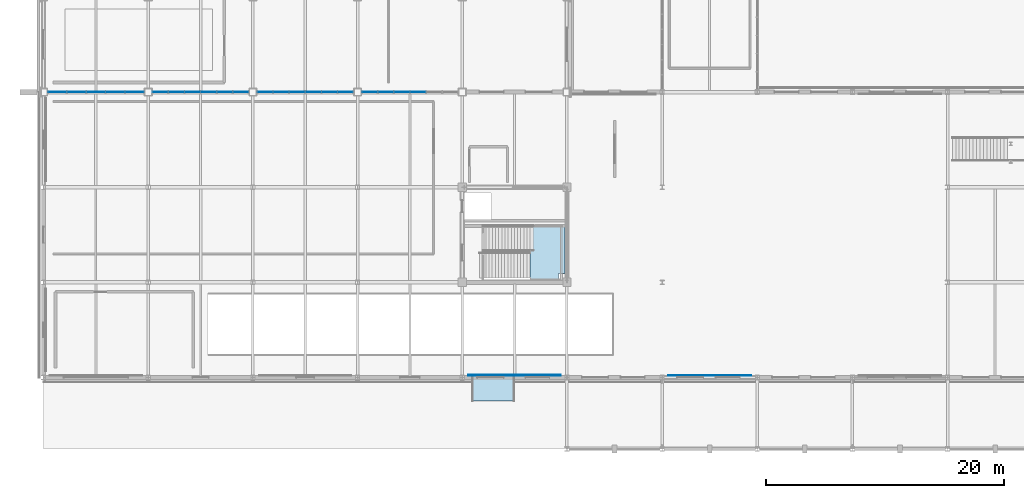
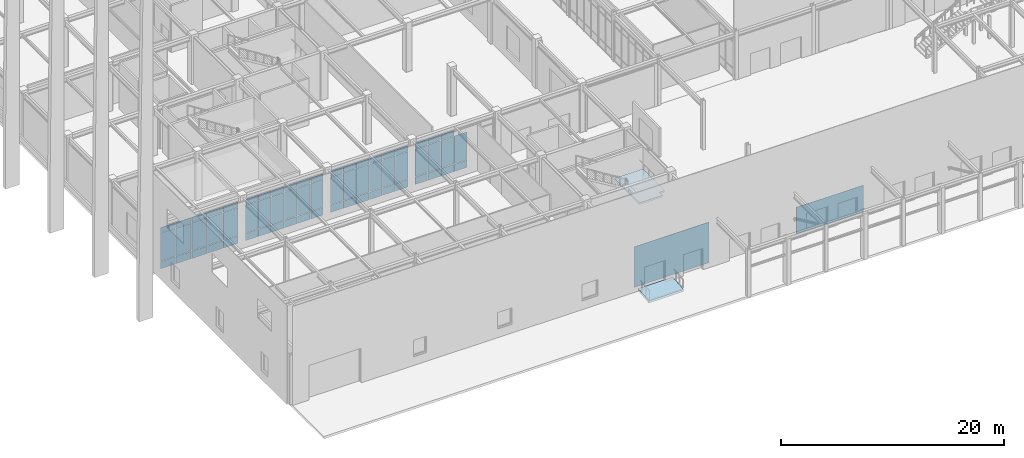
# One storey, part 53 of 119: 64 plates, 2 slabs, 5 elements without a shape of their own.
"""IFC4 building model written with IfcOpenShell, lengths in metres."""

from ifc_helpers import new_model, si_unit, direction, frame, origin, origin_2d, place, context, subcontext, project, spatial, polyline, rectangle, outline, extrude, material, layer, layer_set, type_object, element, aggregate, save


model = new_model("IFC4")

# Units and contexts
model_context = context("Model", 3, precision=1e-05, world=origin(), true_north=direction((0.0, 1.0)))
body_context = subcontext(model_context, "Body", "Model", "MODEL_VIEW")
ifc_project = project(units=[si_unit("LENGTHUNIT", "METRE"), si_unit("AREAUNIT", "SQUARE_METRE"), si_unit("VOLUMEUNIT", "CUBIC_METRE"), si_unit("PLANEANGLEUNIT", "RADIAN"), si_unit("MASSUNIT", "GRAM", prefix="KILO")], contexts=[model_context])

# Site, building, storey
site_placement = place(None, origin())
site = spatial("IfcSite", under=ifc_project, at=site_placement, CompositionType="ELEMENT")
building_placement = place(site_placement, origin())
building = spatial("IfcBuilding", under=site, at=building_placement, Name="Zhaolan Boulevard Law Courts", CompositionType="ELEMENT")
storey_placement = place(building_placement, origin())
storey = spatial("IfcBuildingStorey", under=building, at=storey_placement, Name="L00", CompositionType="ELEMENT", Elevation=0.0)

# Curtain wall, plates
ifc_material_1 = material(Name="Thermally broken aluminium and low-E glazing", Category="aluminium")
curtain_wall_type_1 = type_object("IfcCurtainWallType", Name="CURTAIN WALL M1", PredefinedType="USERDEFINED", material=ifc_material_1)
curtain_wall_1_placement = place(storey_placement, origin())
curtain_wall_1 = element("IfcCurtainWall", 1, at=curtain_wall_1_placement, inside=storey, type_object=curtain_wall_type_1, Name="Curtain Wall CW-L00-001", ObjectType="CURTAIN WALL", PredefinedType="USERDEFINED")
ifc_material_2 = material(Name="Acoustic laminated low-E glazing", Category="glass")
ifc_layer_1 = layer(ifc_material_2, 0.031982421875)
ifc_layer_set_1 = layer_set([ifc_layer_1])
plate_type_1 = type_object("IfcPlateType", Name="CWPANEL LOW E32", PredefinedType="CURTAIN_PANEL", material=ifc_layer_set_1)
plate_1_placement = place(storey_placement, frame((7.64208984375, 30.0, 0.06494140625), z_axis=(0.0, 0.0, 1.0), x_axis=(-1.0, 0.0, 0.0)))
plate_1 = element("IfcPlate", 2, at=plate_1_placement, type_object=plate_type_1, Name="CW-L00-001 panel 1.1", PredefinedType="CURTAIN_PANEL", context=body_context, shape_type="SweptSolid", body=[
    extrude(rectangle(XDim=1.53173828125, YDim=0.031982421875, at=origin_2d()), origin(), (0.0, 0.0, 1.0), 0.802490234375),
])
plate_2_placement = place(storey_placement, frame((7.64208984375, 30.0, 0.932373046875), z_axis=(0.0, 0.0, 1.0), x_axis=(-1.0, 0.0, 0.0)))
plate_2 = element("IfcPlate", 3, at=plate_2_placement, type_object=plate_type_1, Name="CW-L00-001 panel 1.2", PredefinedType="CURTAIN_PANEL", context=body_context, shape_type="SweptSolid", body=[
    extrude(rectangle(XDim=1.53173828125, YDim=0.031982421875, at=origin_2d()), origin(), (0.0, 0.0, 1.0), 3.02001953125),
])
plate_3_placement = place(storey_placement, frame((7.64208984375, 30.0, 4.017578125), z_axis=(0.0, 0.0, 1.0), x_axis=(-1.0, 0.0, 0.0)))
plate_3 = element("IfcPlate", 4, at=plate_3_placement, type_object=plate_type_1, Name="CW-L00-001 panel 1.3", PredefinedType="CURTAIN_PANEL", context=body_context, shape_type="SweptSolid", body=[
    extrude(rectangle(XDim=1.53173828125, YDim=0.031982421875, at=origin_2d()), origin(), (0.0, 0.0, 1.0), 0.552490234375),
])
plate_4_placement = place(storey_placement, frame((6.029296875, 30.0, 0.06494140625), z_axis=(0.0, 0.0, 1.0), x_axis=(-1.0, 0.0, 0.0)))
plate_4 = element("IfcPlate", 5, at=plate_4_placement, type_object=plate_type_1, Name="CW-L00-001 panel 2.1", PredefinedType="CURTAIN_PANEL", context=body_context, shape_type="SweptSolid", body=[
    extrude(rectangle(XDim=1.564208984375, YDim=0.031982421875, at=origin_2d()), origin(), (0.0, 0.0, 1.0), 0.802490234375),
])
plate_5_placement = place(storey_placement, frame((6.029296875, 30.0, 0.932373046875), z_axis=(0.0, 0.0, 1.0), x_axis=(-1.0, 0.0, 0.0)))
plate_5 = element("IfcPlate", 6, at=plate_5_placement, type_object=plate_type_1, Name="CW-L00-001 panel 2.2", PredefinedType="CURTAIN_PANEL", context=body_context, shape_type="SweptSolid", body=[
    extrude(rectangle(XDim=1.564208984375, YDim=0.031982421875, at=origin_2d()), origin(), (0.0, 0.0, 1.0), 3.02001953125),
])
plate_6_placement = place(storey_placement, frame((6.029296875, 30.0, 4.017578125), z_axis=(0.0, 0.0, 1.0), x_axis=(-1.0, 0.0, 0.0)))
plate_6 = element("IfcPlate", 7, at=plate_6_placement, type_object=plate_type_1, Name="CW-L00-001 panel 2.3", PredefinedType="CURTAIN_PANEL", context=body_context, shape_type="SweptSolid", body=[
    extrude(rectangle(XDim=1.564208984375, YDim=0.031982421875, at=origin_2d()), origin(), (0.0, 0.0, 1.0), 0.552490234375),
])
plate_7_placement = place(storey_placement, frame((4.39990234375, 30.0, 0.06494140625), z_axis=(0.0, 0.0, 1.0), x_axis=(-1.0, 0.0, 0.0)))
plate_7 = element("IfcPlate", 8, at=plate_7_placement, type_object=plate_type_1, Name="CW-L00-001 panel 3.1", PredefinedType="CURTAIN_PANEL", context=body_context, shape_type="SweptSolid", body=[
    extrude(rectangle(XDim=1.564208984375, YDim=0.031982421875, at=origin_2d()), origin(), (0.0, 0.0, 1.0), 0.802490234375),
])
plate_8_placement = place(storey_placement, frame((4.39990234375, 30.0, 0.932373046875), z_axis=(0.0, 0.0, 1.0), x_axis=(-1.0, 0.0, 0.0)))
plate_8 = element("IfcPlate", 9, at=plate_8_placement, type_object=plate_type_1, Name="CW-L00-001 panel 3.2", PredefinedType="CURTAIN_PANEL", context=body_context, shape_type="SweptSolid", body=[
    extrude(rectangle(XDim=1.564208984375, YDim=0.031982421875, at=origin_2d()), origin(), (0.0, 0.0, 1.0), 3.02001953125),
])
plate_9_placement = place(storey_placement, frame((4.39990234375, 30.0, 4.017578125), z_axis=(0.0, 0.0, 1.0), x_axis=(-1.0, 0.0, 0.0)))
plate_9 = element("IfcPlate", 10, at=plate_9_placement, type_object=plate_type_1, Name="CW-L00-001 panel 3.3", PredefinedType="CURTAIN_PANEL", context=body_context, shape_type="SweptSolid", body=[
    extrude(rectangle(XDim=1.564208984375, YDim=0.031982421875, at=origin_2d()), origin(), (0.0, 0.0, 1.0), 0.552490234375),
])
plate_10_placement = place(storey_placement, frame((2.770751953125, 30.0, 0.06494140625), z_axis=(0.0, 0.0, 1.0), x_axis=(-1.0, 0.0, 0.0)))
plate_10 = element("IfcPlate", 11, at=plate_10_placement, type_object=plate_type_1, Name="CW-L00-001 panel 4.1", PredefinedType="CURTAIN_PANEL", context=body_context, shape_type="SweptSolid", body=[
    extrude(rectangle(XDim=1.564208984375, YDim=0.031982421875, at=origin_2d()), origin(), (0.0, 0.0, 1.0), 0.802490234375),
])
plate_11_placement = place(storey_placement, frame((2.770751953125, 30.0, 0.932373046875), z_axis=(0.0, 0.0, 1.0), x_axis=(-1.0, 0.0, 0.0)))
plate_11 = element("IfcPlate", 12, at=plate_11_placement, type_object=plate_type_1, Name="CW-L00-001 panel 4.2", PredefinedType="CURTAIN_PANEL", context=body_context, shape_type="SweptSolid", body=[
    extrude(rectangle(XDim=1.564208984375, YDim=0.031982421875, at=origin_2d()), origin(), (0.0, 0.0, 1.0), 3.02001953125),
])
plate_12_placement = place(storey_placement, frame((2.770751953125, 30.0, 4.017578125), z_axis=(0.0, 0.0, 1.0), x_axis=(-1.0, 0.0, 0.0)))
plate_12 = element("IfcPlate", 13, at=plate_12_placement, type_object=plate_type_1, Name="CW-L00-001 panel 4.3", PredefinedType="CURTAIN_PANEL", context=body_context, shape_type="SweptSolid", body=[
    extrude(rectangle(XDim=1.564208984375, YDim=0.031982421875, at=origin_2d()), origin(), (0.0, 0.0, 1.0), 0.552490234375),
])
plate_13_placement = place(storey_placement, frame((1.157958984375, 30.0, 0.06494140625), z_axis=(0.0, 0.0, 1.0), x_axis=(-1.0, 0.0, 0.0)))
plate_13 = element("IfcPlate", 14, at=plate_13_placement, type_object=plate_type_1, Name="CW-L00-001 panel 5.1", PredefinedType="CURTAIN_PANEL", context=body_context, shape_type="SweptSolid", body=[
    extrude(rectangle(XDim=1.53173828125, YDim=0.031982421875, at=origin_2d()), origin(), (0.0, 0.0, 1.0), 0.802490234375),
])
plate_14_placement = place(storey_placement, frame((1.157958984375, 30.0, 0.932373046875), z_axis=(0.0, 0.0, 1.0), x_axis=(-1.0, 0.0, 0.0)))
plate_14 = element("IfcPlate", 15, at=plate_14_placement, type_object=plate_type_1, Name="CW-L00-001 panel 5.2", PredefinedType="CURTAIN_PANEL", context=body_context, shape_type="SweptSolid", body=[
    extrude(rectangle(XDim=1.53173828125, YDim=0.031982421875, at=origin_2d()), origin(), (0.0, 0.0, 1.0), 3.02001953125),
])
plate_15_placement = place(storey_placement, frame((1.157958984375, 30.0, 4.017578125), z_axis=(0.0, 0.0, 1.0), x_axis=(-1.0, 0.0, 0.0)))
plate_15 = element("IfcPlate", 16, at=plate_15_placement, type_object=plate_type_1, Name="CW-L00-001 panel 5.3", PredefinedType="CURTAIN_PANEL", context=body_context, shape_type="SweptSolid", body=[
    extrude(rectangle(XDim=1.53173828125, YDim=0.031982421875, at=origin_2d()), origin(), (0.0, 0.0, 1.0), 0.552490234375),
])
aggregate(curtain_wall_1, [plate_1, plate_2, plate_3, plate_4, plate_5, plate_6, plate_7, plate_8, plate_9, plate_10, plate_11, plate_12, plate_13, plate_14, plate_15])

ifc_material_3 = material(Name="Thermally broken aluminium and low-E glazing", Category="aluminium")
curtain_wall_type_2 = type_object("IfcCurtainWallType", Name="CURTAIN WALL M2", PredefinedType="USERDEFINED", material=ifc_material_3)
curtain_wall_2_placement = place(storey_placement, origin())
curtain_wall_2 = element("IfcCurtainWall", 17, at=curtain_wall_2_placement, inside=storey, type_object=curtain_wall_type_2, Name="Curtain Wall CW-L00-002", ObjectType="CURTAIN WALL", PredefinedType="USERDEFINED")
plate_16_placement = place(storey_placement, frame((16.577880859375, 30.0, 0.06494140625), z_axis=(0.0, 0.0, 1.0), x_axis=(-1.0, 0.0, 0.0)))
plate_16 = element("IfcPlate", 18, at=plate_16_placement, type_object=plate_type_1, Name="CW-L00-002 panel 1.1", PredefinedType="CURTAIN_PANEL", context=body_context, shape_type="SweptSolid", body=[
    extrude(rectangle(XDim=1.26025390625, YDim=0.031982421875, at=origin_2d()), origin(), (0.0, 0.0, 1.0), 0.802490234375),
])
plate_17_placement = place(storey_placement, frame((16.577880859375, 30.0, 0.932373046875), z_axis=(0.0, 0.0, 1.0), x_axis=(-1.0, 0.0, 0.0)))
plate_17 = element("IfcPlate", 19, at=plate_17_placement, type_object=plate_type_1, Name="CW-L00-002 panel 1.2", PredefinedType="CURTAIN_PANEL", context=body_context, shape_type="SweptSolid", body=[
    extrude(rectangle(XDim=1.26025390625, YDim=0.031982421875, at=origin_2d()), origin(), (0.0, 0.0, 1.0), 3.02001953125),
])
plate_18_placement = place(storey_placement, frame((16.577880859375, 30.0, 4.017578125), z_axis=(0.0, 0.0, 1.0), x_axis=(-1.0, 0.0, 0.0)))
plate_18 = element("IfcPlate", 20, at=plate_18_placement, type_object=plate_type_1, Name="CW-L00-002 panel 1.3", PredefinedType="CURTAIN_PANEL", context=body_context, shape_type="SweptSolid", body=[
    extrude(rectangle(XDim=1.26025390625, YDim=0.031982421875, at=origin_2d()), origin(), (0.0, 0.0, 1.0), 0.552490234375),
])
plate_19_placement = place(storey_placement, frame((15.236572265625, 30.0, 0.06494140625), z_axis=(0.0, 0.0, 1.0), x_axis=(-1.0, 0.0, 0.0)))
plate_19 = element("IfcPlate", 21, at=plate_19_placement, type_object=plate_type_1, Name="CW-L00-002 panel 2.1", PredefinedType="CURTAIN_PANEL", context=body_context, shape_type="SweptSolid", body=[
    extrude(rectangle(XDim=1.292724609375, YDim=0.031982421875, at=origin_2d()), origin(), (0.0, 0.0, 1.0), 0.802490234375),
])
plate_20_placement = place(storey_placement, frame((15.236572265625, 30.0, 0.932373046875), z_axis=(0.0, 0.0, 1.0), x_axis=(-1.0, 0.0, 0.0)))
plate_20 = element("IfcPlate", 22, at=plate_20_placement, type_object=plate_type_1, Name="CW-L00-002 panel 2.2", PredefinedType="CURTAIN_PANEL", context=body_context, shape_type="SweptSolid", body=[
    extrude(rectangle(XDim=1.292724609375, YDim=0.031982421875, at=origin_2d()), origin(), (0.0, 0.0, 1.0), 3.02001953125),
])
plate_21_placement = place(storey_placement, frame((15.236572265625, 30.0, 4.017578125), z_axis=(0.0, 0.0, 1.0), x_axis=(-1.0, 0.0, 0.0)))
plate_21 = element("IfcPlate", 23, at=plate_21_placement, type_object=plate_type_1, Name="CW-L00-002 panel 2.3", PredefinedType="CURTAIN_PANEL", context=body_context, shape_type="SweptSolid", body=[
    extrude(rectangle(XDim=1.292724609375, YDim=0.031982421875, at=origin_2d()), origin(), (0.0, 0.0, 1.0), 0.552490234375),
])
plate_22_placement = place(storey_placement, frame((13.87890625, 30.0, 0.06494140625), z_axis=(0.0, 0.0, 1.0), x_axis=(-1.0, 0.0, 0.0)))
plate_22 = element("IfcPlate", 24, at=plate_22_placement, type_object=plate_type_1, Name="CW-L00-002 panel 3.1", PredefinedType="CURTAIN_PANEL", context=body_context, shape_type="SweptSolid", body=[
    extrude(rectangle(XDim=1.292724609375, YDim=0.031982421875, at=origin_2d()), origin(), (0.0, 0.0, 1.0), 0.802490234375),
])
plate_23_placement = place(storey_placement, frame((13.87890625, 30.0, 0.932373046875), z_axis=(0.0, 0.0, 1.0), x_axis=(-1.0, 0.0, 0.0)))
plate_23 = element("IfcPlate", 25, at=plate_23_placement, type_object=plate_type_1, Name="CW-L00-002 panel 3.2", PredefinedType="CURTAIN_PANEL", context=body_context, shape_type="SweptSolid", body=[
    extrude(rectangle(XDim=1.292724609375, YDim=0.031982421875, at=origin_2d()), origin(), (0.0, 0.0, 1.0), 3.02001953125),
])
plate_24_placement = place(storey_placement, frame((13.87890625, 30.0, 4.017578125), z_axis=(0.0, 0.0, 1.0), x_axis=(-1.0, 0.0, 0.0)))
plate_24 = element("IfcPlate", 26, at=plate_24_placement, type_object=plate_type_1, Name="CW-L00-002 panel 3.3", PredefinedType="CURTAIN_PANEL", context=body_context, shape_type="SweptSolid", body=[
    extrude(rectangle(XDim=1.292724609375, YDim=0.031982421875, at=origin_2d()), origin(), (0.0, 0.0, 1.0), 0.552490234375),
])
plate_25_placement = place(storey_placement, frame((12.521240234375, 30.0, 0.06494140625), z_axis=(0.0, 0.0, 1.0), x_axis=(-1.0, 0.0, 0.0)))
plate_25 = element("IfcPlate", 27, at=plate_25_placement, type_object=plate_type_1, Name="CW-L00-002 panel 4.1", PredefinedType="CURTAIN_PANEL", context=body_context, shape_type="SweptSolid", body=[
    extrude(rectangle(XDim=1.292724609375, YDim=0.031982421875, at=origin_2d()), origin(), (0.0, 0.0, 1.0), 0.802490234375),
])
plate_26_placement = place(storey_placement, frame((12.521240234375, 30.0, 0.932373046875), z_axis=(0.0, 0.0, 1.0), x_axis=(-1.0, 0.0, 0.0)))
plate_26 = element("IfcPlate", 28, at=plate_26_placement, type_object=plate_type_1, Name="CW-L00-002 panel 4.2", PredefinedType="CURTAIN_PANEL", context=body_context, shape_type="SweptSolid", body=[
    extrude(rectangle(XDim=1.292724609375, YDim=0.031982421875, at=origin_2d()), origin(), (0.0, 0.0, 1.0), 3.02001953125),
])
plate_27_placement = place(storey_placement, frame((12.521240234375, 30.0, 4.017578125), z_axis=(0.0, 0.0, 1.0), x_axis=(-1.0, 0.0, 0.0)))
plate_27 = element("IfcPlate", 29, at=plate_27_placement, type_object=plate_type_1, Name="CW-L00-002 panel 4.3", PredefinedType="CURTAIN_PANEL", context=body_context, shape_type="SweptSolid", body=[
    extrude(rectangle(XDim=1.292724609375, YDim=0.031982421875, at=origin_2d()), origin(), (0.0, 0.0, 1.0), 0.552490234375),
])
plate_28_placement = place(storey_placement, frame((11.16357421875, 30.0, 0.06494140625), z_axis=(0.0, 0.0, 1.0), x_axis=(-1.0, 0.0, 0.0)))
plate_28 = element("IfcPlate", 30, at=plate_28_placement, type_object=plate_type_1, Name="CW-L00-002 panel 5.1", PredefinedType="CURTAIN_PANEL", context=body_context, shape_type="SweptSolid", body=[
    extrude(rectangle(XDim=1.292724609375, YDim=0.031982421875, at=origin_2d()), origin(), (0.0, 0.0, 1.0), 0.802490234375),
])
plate_29_placement = place(storey_placement, frame((11.16357421875, 30.0, 0.932373046875), z_axis=(0.0, 0.0, 1.0), x_axis=(-1.0, 0.0, 0.0)))
plate_29 = element("IfcPlate", 31, at=plate_29_placement, type_object=plate_type_1, Name="CW-L00-002 panel 5.2", PredefinedType="CURTAIN_PANEL", context=body_context, shape_type="SweptSolid", body=[
    extrude(rectangle(XDim=1.292724609375, YDim=0.031982421875, at=origin_2d()), origin(), (0.0, 0.0, 1.0), 3.02001953125),
])
plate_30_placement = place(storey_placement, frame((11.16357421875, 30.0, 4.017578125), z_axis=(0.0, 0.0, 1.0), x_axis=(-1.0, 0.0, 0.0)))
plate_30 = element("IfcPlate", 32, at=plate_30_placement, type_object=plate_type_1, Name="CW-L00-002 panel 5.3", PredefinedType="CURTAIN_PANEL", context=body_context, shape_type="SweptSolid", body=[
    extrude(rectangle(XDim=1.292724609375, YDim=0.031982421875, at=origin_2d()), origin(), (0.0, 0.0, 1.0), 0.552490234375),
])
plate_31_placement = place(storey_placement, frame((9.822021484375, 30.0, 0.06494140625), z_axis=(0.0, 0.0, 1.0), x_axis=(-1.0, 0.0, 0.0)))
plate_31 = element("IfcPlate", 33, at=plate_31_placement, type_object=plate_type_1, Name="CW-L00-002 panel 6.1", PredefinedType="CURTAIN_PANEL", context=body_context, shape_type="SweptSolid", body=[
    extrude(rectangle(XDim=1.26025390625, YDim=0.031982421875, at=origin_2d()), origin(), (0.0, 0.0, 1.0), 0.802490234375),
])
plate_32_placement = place(storey_placement, frame((9.822021484375, 30.0, 0.932373046875), z_axis=(0.0, 0.0, 1.0), x_axis=(-1.0, 0.0, 0.0)))
plate_32 = element("IfcPlate", 34, at=plate_32_placement, type_object=plate_type_1, Name="CW-L00-002 panel 6.2", PredefinedType="CURTAIN_PANEL", context=body_context, shape_type="SweptSolid", body=[
    extrude(rectangle(XDim=1.26025390625, YDim=0.031982421875, at=origin_2d()), origin(), (0.0, 0.0, 1.0), 3.02001953125),
])
plate_33_placement = place(storey_placement, frame((9.822021484375, 30.0, 4.017578125), z_axis=(0.0, 0.0, 1.0), x_axis=(-1.0, 0.0, 0.0)))
plate_33 = element("IfcPlate", 35, at=plate_33_placement, type_object=plate_type_1, Name="CW-L00-002 panel 6.3", PredefinedType="CURTAIN_PANEL", context=body_context, shape_type="SweptSolid", body=[
    extrude(rectangle(XDim=1.26025390625, YDim=0.031982421875, at=origin_2d()), origin(), (0.0, 0.0, 1.0), 0.552490234375),
])
aggregate(curtain_wall_2, [plate_16, plate_17, plate_18, plate_19, plate_20, plate_21, plate_22, plate_23, plate_24, plate_25, plate_26, plate_27, plate_28, plate_29, plate_30, plate_31, plate_32, plate_33])

ifc_material_4 = material(Name="Thermally broken aluminium and low-E glazing", Category="aluminium")
curtain_wall_type_3 = type_object("IfcCurtainWallType", Name="CURTAIN WALL M3", PredefinedType="USERDEFINED", material=ifc_material_4)
curtain_wall_3_placement = place(storey_placement, origin())
curtain_wall_3 = element("IfcCurtainWall", 36, at=curtain_wall_3_placement, inside=storey, type_object=curtain_wall_type_3, Name="Curtain Wall CW-L00-003", ObjectType="CURTAIN WALL", PredefinedType="USERDEFINED")
plate_34_placement = place(storey_placement, frame((25.3779296875, 30.0, 0.06494140625), z_axis=(0.0, 0.0, 1.0), x_axis=(-1.0, 0.0, 0.0)))
plate_34 = element("IfcPlate", 37, at=plate_34_placement, type_object=plate_type_1, Name="CW-L00-003 panel 1.1", PredefinedType="CURTAIN_PANEL", context=body_context, shape_type="SweptSolid", body=[
    extrude(rectangle(XDim=1.26025390625, YDim=0.031982421875, at=origin_2d()), origin(), (0.0, 0.0, 1.0), 0.802490234375),
])
plate_35_placement = place(storey_placement, frame((25.3779296875, 30.0, 0.932373046875), z_axis=(0.0, 0.0, 1.0), x_axis=(-1.0, 0.0, 0.0)))
plate_35 = element("IfcPlate", 38, at=plate_35_placement, type_object=plate_type_1, Name="CW-L00-003 panel 1.2", PredefinedType="CURTAIN_PANEL", context=body_context, shape_type="SweptSolid", body=[
    extrude(rectangle(XDim=1.26025390625, YDim=0.031982421875, at=origin_2d()), origin(), (0.0, 0.0, 1.0), 3.02001953125),
])
plate_36_placement = place(storey_placement, frame((25.3779296875, 30.0, 4.017578125), z_axis=(0.0, 0.0, 1.0), x_axis=(-1.0, 0.0, 0.0)))
plate_36 = element("IfcPlate", 39, at=plate_36_placement, type_object=plate_type_1, Name="CW-L00-003 panel 1.3", PredefinedType="CURTAIN_PANEL", context=body_context, shape_type="SweptSolid", body=[
    extrude(rectangle(XDim=1.26025390625, YDim=0.031982421875, at=origin_2d()), origin(), (0.0, 0.0, 1.0), 0.552490234375),
])
plate_37_placement = place(storey_placement, frame((24.03662109375, 30.0, 0.06494140625), z_axis=(0.0, 0.0, 1.0), x_axis=(-1.0, 0.0, 0.0)))
plate_37 = element("IfcPlate", 40, at=plate_37_placement, type_object=plate_type_1, Name="CW-L00-003 panel 2.1", PredefinedType="CURTAIN_PANEL", context=body_context, shape_type="SweptSolid", body=[
    extrude(rectangle(XDim=1.292724609375, YDim=0.031982421875, at=origin_2d()), origin(), (0.0, 0.0, 1.0), 0.802490234375),
])
plate_38_placement = place(storey_placement, frame((24.03662109375, 30.0, 0.932373046875), z_axis=(0.0, 0.0, 1.0), x_axis=(-1.0, 0.0, 0.0)))
plate_38 = element("IfcPlate", 41, at=plate_38_placement, type_object=plate_type_1, Name="CW-L00-003 panel 2.2", PredefinedType="CURTAIN_PANEL", context=body_context, shape_type="SweptSolid", body=[
    extrude(rectangle(XDim=1.292724609375, YDim=0.031982421875, at=origin_2d()), origin(), (0.0, 0.0, 1.0), 3.02001953125),
])
plate_39_placement = place(storey_placement, frame((24.03662109375, 30.0, 4.017578125), z_axis=(0.0, 0.0, 1.0), x_axis=(-1.0, 0.0, 0.0)))
plate_39 = element("IfcPlate", 42, at=plate_39_placement, type_object=plate_type_1, Name="CW-L00-003 panel 2.3", PredefinedType="CURTAIN_PANEL", context=body_context, shape_type="SweptSolid", body=[
    extrude(rectangle(XDim=1.292724609375, YDim=0.031982421875, at=origin_2d()), origin(), (0.0, 0.0, 1.0), 0.552490234375),
])
plate_40_placement = place(storey_placement, frame((22.678955078125, 30.0, 0.06494140625), z_axis=(0.0, 0.0, 1.0), x_axis=(-1.0, 0.0, 0.0)))
plate_40 = element("IfcPlate", 43, at=plate_40_placement, type_object=plate_type_1, Name="CW-L00-003 panel 3.1", PredefinedType="CURTAIN_PANEL", context=body_context, shape_type="SweptSolid", body=[
    extrude(rectangle(XDim=1.292724609375, YDim=0.031982421875, at=origin_2d()), origin(), (0.0, 0.0, 1.0), 0.802490234375),
])
plate_41_placement = place(storey_placement, frame((22.678955078125, 30.0, 0.932373046875), z_axis=(0.0, 0.0, 1.0), x_axis=(-1.0, 0.0, 0.0)))
plate_41 = element("IfcPlate", 44, at=plate_41_placement, type_object=plate_type_1, Name="CW-L00-003 panel 3.2", PredefinedType="CURTAIN_PANEL", context=body_context, shape_type="SweptSolid", body=[
    extrude(rectangle(XDim=1.292724609375, YDim=0.031982421875, at=origin_2d()), origin(), (0.0, 0.0, 1.0), 3.02001953125),
])
plate_42_placement = place(storey_placement, frame((22.678955078125, 30.0, 4.017578125), z_axis=(0.0, 0.0, 1.0), x_axis=(-1.0, 0.0, 0.0)))
plate_42 = element("IfcPlate", 45, at=plate_42_placement, type_object=plate_type_1, Name="CW-L00-003 panel 3.3", PredefinedType="CURTAIN_PANEL", context=body_context, shape_type="SweptSolid", body=[
    extrude(rectangle(XDim=1.292724609375, YDim=0.031982421875, at=origin_2d()), origin(), (0.0, 0.0, 1.0), 0.552490234375),
])
plate_43_placement = place(storey_placement, frame((21.321044921875, 30.0, 0.06494140625), z_axis=(0.0, 0.0, 1.0), x_axis=(-1.0, 0.0, 0.0)))
plate_43 = element("IfcPlate", 46, at=plate_43_placement, type_object=plate_type_1, Name="CW-L00-003 panel 4.1", PredefinedType="CURTAIN_PANEL", context=body_context, shape_type="SweptSolid", body=[
    extrude(rectangle(XDim=1.292724609375, YDim=0.031982421875, at=origin_2d()), origin(), (0.0, 0.0, 1.0), 0.802490234375),
])
plate_44_placement = place(storey_placement, frame((21.321044921875, 30.0, 0.932373046875), z_axis=(0.0, 0.0, 1.0), x_axis=(-1.0, 0.0, 0.0)))
plate_44 = element("IfcPlate", 47, at=plate_44_placement, type_object=plate_type_1, Name="CW-L00-003 panel 4.2", PredefinedType="CURTAIN_PANEL", context=body_context, shape_type="SweptSolid", body=[
    extrude(rectangle(XDim=1.292724609375, YDim=0.031982421875, at=origin_2d()), origin(), (0.0, 0.0, 1.0), 3.02001953125),
])
plate_45_placement = place(storey_placement, frame((21.321044921875, 30.0, 4.017578125), z_axis=(0.0, 0.0, 1.0), x_axis=(-1.0, 0.0, 0.0)))
plate_45 = element("IfcPlate", 48, at=plate_45_placement, type_object=plate_type_1, Name="CW-L00-003 panel 4.3", PredefinedType="CURTAIN_PANEL", context=body_context, shape_type="SweptSolid", body=[
    extrude(rectangle(XDim=1.292724609375, YDim=0.031982421875, at=origin_2d()), origin(), (0.0, 0.0, 1.0), 0.552490234375),
])
plate_46_placement = place(storey_placement, frame((19.96337890625, 30.0, 0.06494140625), z_axis=(0.0, 0.0, 1.0), x_axis=(-1.0, 0.0, 0.0)))
plate_46 = element("IfcPlate", 49, at=plate_46_placement, type_object=plate_type_1, Name="CW-L00-003 panel 5.1", PredefinedType="CURTAIN_PANEL", context=body_context, shape_type="SweptSolid", body=[
    extrude(rectangle(XDim=1.292724609375, YDim=0.031982421875, at=origin_2d()), origin(), (0.0, 0.0, 1.0), 0.802490234375),
])
plate_47_placement = place(storey_placement, frame((19.96337890625, 30.0, 0.932373046875), z_axis=(0.0, 0.0, 1.0), x_axis=(-1.0, 0.0, 0.0)))
plate_47 = element("IfcPlate", 50, at=plate_47_placement, type_object=plate_type_1, Name="CW-L00-003 panel 5.2", PredefinedType="CURTAIN_PANEL", context=body_context, shape_type="SweptSolid", body=[
    extrude(rectangle(XDim=1.292724609375, YDim=0.031982421875, at=origin_2d()), origin(), (0.0, 0.0, 1.0), 3.02001953125),
])
plate_48_placement = place(storey_placement, frame((19.96337890625, 30.0, 4.017578125), z_axis=(0.0, 0.0, 1.0), x_axis=(-1.0, 0.0, 0.0)))
plate_48 = element("IfcPlate", 51, at=plate_48_placement, type_object=plate_type_1, Name="CW-L00-003 panel 5.3", PredefinedType="CURTAIN_PANEL", context=body_context, shape_type="SweptSolid", body=[
    extrude(rectangle(XDim=1.292724609375, YDim=0.031982421875, at=origin_2d()), origin(), (0.0, 0.0, 1.0), 0.552490234375),
])
plate_49_placement = place(storey_placement, frame((18.6220703125, 30.0, 0.06494140625), z_axis=(0.0, 0.0, 1.0), x_axis=(-1.0, 0.0, 0.0)))
plate_49 = element("IfcPlate", 52, at=plate_49_placement, type_object=plate_type_1, Name="CW-L00-003 panel 6.1", PredefinedType="CURTAIN_PANEL", context=body_context, shape_type="SweptSolid", body=[
    extrude(rectangle(XDim=1.26025390625, YDim=0.031982421875, at=origin_2d()), origin(), (0.0, 0.0, 1.0), 0.802490234375),
])
plate_50_placement = place(storey_placement, frame((18.6220703125, 30.0, 0.932373046875), z_axis=(0.0, 0.0, 1.0), x_axis=(-1.0, 0.0, 0.0)))
plate_50 = element("IfcPlate", 53, at=plate_50_placement, type_object=plate_type_1, Name="CW-L00-003 panel 6.2", PredefinedType="CURTAIN_PANEL", context=body_context, shape_type="SweptSolid", body=[
    extrude(rectangle(XDim=1.26025390625, YDim=0.031982421875, at=origin_2d()), origin(), (0.0, 0.0, 1.0), 3.02001953125),
])
plate_51_placement = place(storey_placement, frame((18.6220703125, 30.0, 4.017578125), z_axis=(0.0, 0.0, 1.0), x_axis=(-1.0, 0.0, 0.0)))
plate_51 = element("IfcPlate", 54, at=plate_51_placement, type_object=plate_type_1, Name="CW-L00-003 panel 6.3", PredefinedType="CURTAIN_PANEL", context=body_context, shape_type="SweptSolid", body=[
    extrude(rectangle(XDim=1.26025390625, YDim=0.031982421875, at=origin_2d()), origin(), (0.0, 0.0, 1.0), 0.552490234375),
])
aggregate(curtain_wall_3, [plate_34, plate_35, plate_36, plate_37, plate_38, plate_39, plate_40, plate_41, plate_42, plate_43, plate_44, plate_45, plate_46, plate_47, plate_48, plate_49, plate_50, plate_51])

ifc_material_5 = material(Name="Thermally broken aluminium and low-E glazing", Category="aluminium")
curtain_wall_type_4 = type_object("IfcCurtainWallType", Name="CURTAIN WALL M4", PredefinedType="USERDEFINED", material=ifc_material_5)
curtain_wall_4_placement = place(storey_placement, origin())
curtain_wall_4 = element("IfcCurtainWall", 55, at=curtain_wall_4_placement, inside=storey, type_object=curtain_wall_type_4, Name="Curtain Wall CW-L00-004", ObjectType="CURTAIN WALL", PredefinedType="USERDEFINED")
plate_52_placement = place(storey_placement, frame((31.478759765625, 30.0, 0.06494140625), z_axis=(0.0, 0.0, 1.0), x_axis=(-1.0, 0.0, 0.0)))
plate_52 = element("IfcPlate", 56, at=plate_52_placement, type_object=plate_type_1, Name="CW-L00-004 panel 3.1", PredefinedType="CURTAIN_PANEL", context=body_context, shape_type="SweptSolid", body=[
    extrude(rectangle(XDim=1.292724609375, YDim=0.031982421875, at=origin_2d()), origin(), (0.0, 0.0, 1.0), 0.802490234375),
])
plate_53_placement = place(storey_placement, frame((31.478759765625, 30.0, 0.932373046875), z_axis=(0.0, 0.0, 1.0), x_axis=(-1.0, 0.0, 0.0)))
plate_53 = element("IfcPlate", 57, at=plate_53_placement, type_object=plate_type_1, Name="CW-L00-004 panel 3.2", PredefinedType="CURTAIN_PANEL", context=body_context, shape_type="SweptSolid", body=[
    extrude(rectangle(XDim=1.292724609375, YDim=0.031982421875, at=origin_2d()), origin(), (0.0, 0.0, 1.0), 3.02001953125),
])
plate_54_placement = place(storey_placement, frame((30.12109375, 30.0, 0.06494140625), z_axis=(0.0, 0.0, 1.0), x_axis=(-1.0, 0.0, 0.0)))
plate_54 = element("IfcPlate", 58, at=plate_54_placement, type_object=plate_type_1, Name="CW-L00-004 panel 4.1", PredefinedType="CURTAIN_PANEL", context=body_context, shape_type="SweptSolid", body=[
    extrude(rectangle(XDim=1.292724609375, YDim=0.031982421875, at=origin_2d()), origin(), (0.0, 0.0, 1.0), 0.802490234375),
])
plate_55_placement = place(storey_placement, frame((30.12109375, 30.0, 0.932373046875), z_axis=(0.0, 0.0, 1.0), x_axis=(-1.0, 0.0, 0.0)))
plate_55 = element("IfcPlate", 59, at=plate_55_placement, type_object=plate_type_1, Name="CW-L00-004 panel 4.2", PredefinedType="CURTAIN_PANEL", context=body_context, shape_type="SweptSolid", body=[
    extrude(rectangle(XDim=1.292724609375, YDim=0.031982421875, at=origin_2d()), origin(), (0.0, 0.0, 1.0), 3.02001953125),
])
plate_56_placement = place(storey_placement, frame((30.12109375, 30.0, 4.017578125), z_axis=(0.0, 0.0, 1.0), x_axis=(-1.0, 0.0, 0.0)))
plate_56 = element("IfcPlate", 60, at=plate_56_placement, type_object=plate_type_1, Name="CW-L00-004 panel 4.3", PredefinedType="CURTAIN_PANEL", context=body_context, shape_type="SweptSolid", body=[
    extrude(rectangle(XDim=1.292724609375, YDim=0.031982421875, at=origin_2d()), origin(), (0.0, 0.0, 1.0), 0.552490234375),
])
plate_57_placement = place(storey_placement, frame((28.763427734375, 30.0, 0.06494140625), z_axis=(0.0, 0.0, 1.0), x_axis=(-1.0, 0.0, 0.0)))
plate_57 = element("IfcPlate", 61, at=plate_57_placement, type_object=plate_type_1, Name="CW-L00-004 panel 5.1", PredefinedType="CURTAIN_PANEL", context=body_context, shape_type="SweptSolid", body=[
    extrude(rectangle(XDim=1.292724609375, YDim=0.031982421875, at=origin_2d()), origin(), (0.0, 0.0, 1.0), 0.802490234375),
])
plate_58_placement = place(storey_placement, frame((28.763427734375, 30.0, 0.932373046875), z_axis=(0.0, 0.0, 1.0), x_axis=(-1.0, 0.0, 0.0)))
plate_58 = element("IfcPlate", 62, at=plate_58_placement, type_object=plate_type_1, Name="CW-L00-004 panel 5.2", PredefinedType="CURTAIN_PANEL", context=body_context, shape_type="SweptSolid", body=[
    extrude(rectangle(XDim=1.292724609375, YDim=0.031982421875, at=origin_2d()), origin(), (0.0, 0.0, 1.0), 3.02001953125),
])
plate_59_placement = place(storey_placement, frame((28.763427734375, 30.0, 4.017578125), z_axis=(0.0, 0.0, 1.0), x_axis=(-1.0, 0.0, 0.0)))
plate_59 = element("IfcPlate", 63, at=plate_59_placement, type_object=plate_type_1, Name="CW-L00-004 panel 5.3", PredefinedType="CURTAIN_PANEL", context=body_context, shape_type="SweptSolid", body=[
    extrude(rectangle(XDim=1.292724609375, YDim=0.031982421875, at=origin_2d()), origin(), (0.0, 0.0, 1.0), 0.552490234375),
])
plate_60_placement = place(storey_placement, frame((27.422119140625, 30.0, 0.06494140625), z_axis=(0.0, 0.0, 1.0), x_axis=(-1.0, 0.0, 0.0)))
plate_60 = element("IfcPlate", 64, at=plate_60_placement, type_object=plate_type_1, Name="CW-L00-004 panel 6.1", PredefinedType="CURTAIN_PANEL", context=body_context, shape_type="SweptSolid", body=[
    extrude(rectangle(XDim=1.26025390625, YDim=0.031982421875, at=origin_2d()), origin(), (0.0, 0.0, 1.0), 0.802490234375),
])
plate_61_placement = place(storey_placement, frame((27.422119140625, 30.0, 0.932373046875), z_axis=(0.0, 0.0, 1.0), x_axis=(-1.0, 0.0, 0.0)))
plate_61 = element("IfcPlate", 65, at=plate_61_placement, type_object=plate_type_1, Name="CW-L00-004 panel 6.2", PredefinedType="CURTAIN_PANEL", context=body_context, shape_type="SweptSolid", body=[
    extrude(rectangle(XDim=1.26025390625, YDim=0.031982421875, at=origin_2d()), origin(), (0.0, 0.0, 1.0), 3.02001953125),
])
plate_62_placement = place(storey_placement, frame((27.422119140625, 30.0, 4.017578125), z_axis=(0.0, 0.0, 1.0), x_axis=(-1.0, 0.0, 0.0)))
plate_62 = element("IfcPlate", 66, at=plate_62_placement, type_object=plate_type_1, Name="CW-L00-004 panel 6.3", PredefinedType="CURTAIN_PANEL", context=body_context, shape_type="SweptSolid", body=[
    extrude(rectangle(XDim=1.26025390625, YDim=0.031982421875, at=origin_2d()), origin(), (0.0, 0.0, 1.0), 0.552490234375),
])
aggregate(curtain_wall_4, [plate_52, plate_53, plate_54, plate_55, plate_56, plate_57, plate_58, plate_59, plate_60, plate_61, plate_62])

# Slab
ifc_material_6 = material(Name="Concrete C40", Category="concrete")
ifc_layer_2 = layer(ifc_material_6, 0.239990234375)
ifc_layer_set_2 = layer_set([ifc_layer_2])
slab_type_1 = type_object("IfcSlabType", Name="RAMP SLAB 240", PredefinedType="USERDEFINED", material=ifc_layer_set_2)
slab_1_placement = place(storey_placement, frame((36.0, 4.010009765625, -0.159912109375), z_axis=(1.0, 0.0, 0.0), x_axis=(0.0, 1.0, 0.0)))
element("IfcSlab", 67, at=slab_1_placement, inside=storey, type_object=slab_type_1, Name="Accessible Threshold Ramp AR-01", ObjectType="RAMP", PredefinedType="USERDEFINED", context=body_context, shape_type="SweptSolid", body=[
    extrude(outline(polyline([(0.0, 0.0), (1.9599609375, 0.159912109375), (1.9599609375, -0.080810546875), (0.0, -0.24072265625), (0.0, 0.0)])), origin(), (0.0, 0.0, 1.0), 3.60009765625),
])

# Stair, slab
ifc_material_7 = material(Name="Concrete C40", Category="concrete")
stair_type = type_object("IfcStairType", Name="HALF TURN STAIR 54 B", PredefinedType="HALF_TURN_STAIR", material=ifc_material_7)
stair_placement = place(storey_placement, origin())
stair = element("IfcStair", 68, at=stair_placement, inside=storey, type_object=stair_type, Name="Stair ST04-L00", PredefinedType="HALF_TURN_STAIR")
ifc_material_8 = material(Name="Concrete C40", Category="concrete")
ifc_layer_3 = layer(ifc_material_8, 0.199951171875)
ifc_layer_set_3 = layer_set([ifc_layer_3])
slab_type_2 = type_object("IfcSlabType", Name="STAIR LANDING 200", PredefinedType="LANDING", material=ifc_layer_set_3)
slab_2_placement = place(storey_placement, frame((0.0, 0.0, 2.5)))
slab_2 = element("IfcSlab", 69, at=slab_2_placement, type_object=slab_type_2, Name="Stair Landing ST04-L00-L1", PredefinedType="LANDING", context=body_context, shape_type="SweptSolid", body=[
    extrude(outline(polyline([(40.889892578125, 14.169921875), (43.27001953125, 14.169921875), (43.27001953125, 14.72998046875), (43.830078125, 14.72998046875), (43.830078125, 18.639892578125), (40.889892578125, 18.639892578125), (40.889892578125, 14.169921875)])), origin(), (0.0, 0.0, 1.0), 0.199951171875),
])
aggregate(stair, [slab_2])

# Plates
ifc_material_9 = material(Name="Pale mist-grey standing-seam Al-Mg-Mn zinc-titanium")
ifc_layer_4 = layer(ifc_material_9, 0.0400390625)
ifc_layer_set_4 = layer_set([ifc_layer_4])
plate_type_2 = type_object("IfcPlateType", Name="STANDING SEAM PLATE 40", PredefinedType="SHEET", material=ifc_layer_set_4)
plate_63_placement = place(storey_placement, frame((56.0, 6.179931640625, 0.10009765625), z_axis=(0.0, 0.0, 1.0), x_axis=(1.0, 0.0, 0.0)))
element("IfcPlate", 70, at=plate_63_placement, inside=storey, type_object=plate_type_2, Name="Standing-Seam Metal Wall Cladding SSP-L00-126", PredefinedType="SHEET", context=body_context, shape_type="SweptSolid", body=[
    extrude(rectangle(XDim=6.9599609375, YDim=0.0400390625, at=origin_2d()), origin(), (0.0, 0.0, 1.0), 2.887939453125),
])
ifc_material_10 = material(Name="Pale mist-grey standing-seam Al-Mg-Mn zinc-titanium")
ifc_layer_5 = layer(ifc_material_10, 0.06005859375)
ifc_layer_set_5 = layer_set([ifc_layer_5])
plate_type_3 = type_object("IfcPlateType", Name="STANDING SEAM PLATE 60", PredefinedType="SHEET", material=ifc_layer_set_5)
plate_64_placement = place(storey_placement, frame((39.60009765625, 6.18994140625, 0.099365234375), z_axis=(0.0, 0.0, 1.0), x_axis=(1.0, 0.0, 0.0)))
element("IfcPlate", 71, at=plate_64_placement, inside=storey, type_object=plate_type_3, Name="Standing-Seam Metal Wall Cladding SSP-L00-124", PredefinedType="SHEET", context=body_context, shape_type="SweptSolid", body=[
    extrude(rectangle(XDim=7.760009765625, YDim=0.06005859375, at=origin_2d()), origin(), (0.0, 0.0, 1.0), 4.43505859375),
])

save(model, "model.ifc")
